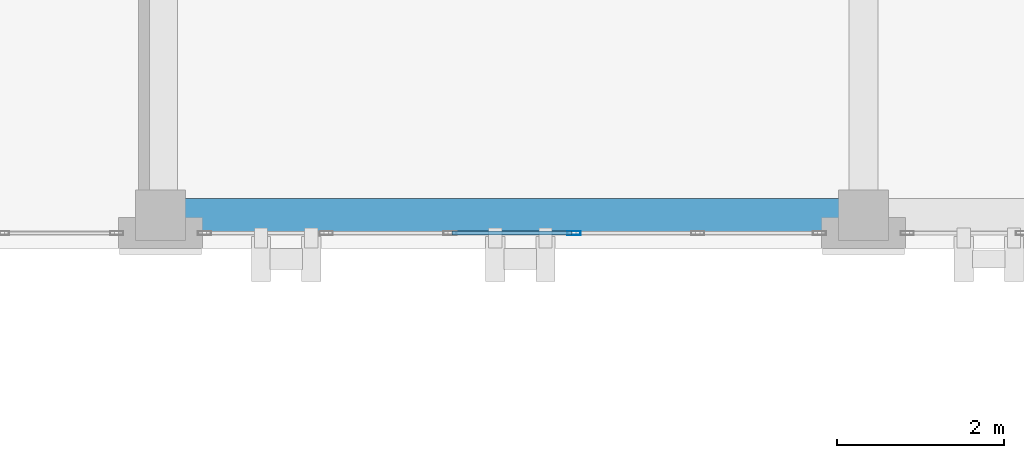
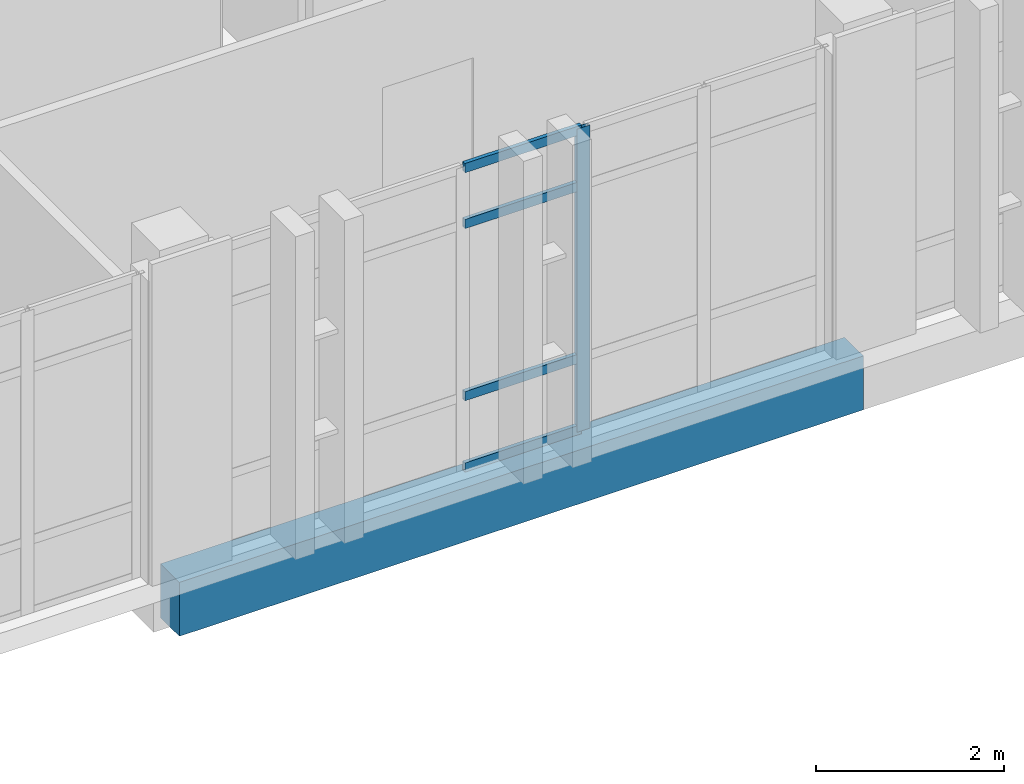
# One storey, part 20 of 77: 5 members, 1 beam, 1 element without a shape of its own.
"""IFC4 building model written with IfcOpenShell, lengths in metres."""

import ifcopenshell
import ifcopenshell.guid

model = None  # the IFC model being written
_history = None  # IfcOwnerHistory: only IFC2X3 demands one
_inside = {}  # id of a spatial element -> (the spatial element, [elements in it])
_under = {}  # id of a project, library or spatial element -> (it, [spatial elements below it])
_declared = {}  # id of a project -> (the project, [libraries it declares])
_typed = {}  # id of a type object -> (the type object, [elements of that type])
_made_of = {}  # id of a material, layer set ... -> (it, [elements and type objects made of it])


def new_model(schema):
    """Start an empty IFC model of exactly this schema.

    Asked for "IFC4X3", IfcOpenShell would pick the latest addendum, in which some entities
    have other attributes; the version numbers below select the first issue.
    IFC2X3 requires an IfcOwnerHistory on every rooted entity: one is made here for all.
    """
    global model, _history
    if schema == "IFC4X3":
        model = ifcopenshell.file(schema_version=(4, 3, 0, 0))
    else:
        model = ifcopenshell.file(schema=schema)
    _inside.clear()
    _under.clear()
    _declared.clear()
    _typed.clear()
    _made_of.clear()
    _history = None
    if model.schema == "IFC2X3":
        org = make("IfcOrganization", Name="unknown")
        user = make(
            "IfcPersonAndOrganization",
            ThePerson=make("IfcPerson", FamilyName="unknown"),
            TheOrganization=org,
        )
        app = make(
            "IfcApplication",
            ApplicationDeveloper=org,
            Version="unknown",
            ApplicationFullName="unknown",
            ApplicationIdentifier="unknown",
        )
        _history = make(
            "IfcOwnerHistory",
            OwningUser=user,
            OwningApplication=app,
            ChangeAction="ADDED",
            CreationDate=0,
        )
    return model


def make(cls, **values):
    """One entity of the class cls with the attributes given. An attribute that is None is left unset."""
    return model.create_entity(
        cls, **{name: value for name, value in values.items() if value is not None}
    )


def rooted(cls, **values):
    """An entity with a GlobalId (a new one), such as an element, a storey or a relation."""
    return make(cls, GlobalId=ifcopenshell.guid.new(), OwnerHistory=_history, **values)


def si_unit(unit_type, name, prefix=None):
    """IfcSIUnit, for example si_unit("LENGTHUNIT", "METRE", prefix="MILLI")."""
    return make("IfcSIUnit", UnitType=unit_type, Prefix=prefix, Name=name)


def assignment(units):
    """IfcUnitAssignment: the units of a project."""
    return None if units is None else make("IfcUnitAssignment", Units=units)


def point(xyz):
    """IfcCartesianPoint."""
    return None if xyz is None else make("IfcCartesianPoint", Coordinates=xyz)


def direction(xyz):
    """IfcDirection."""
    return None if xyz is None else make("IfcDirection", DirectionRatios=xyz)


def frame(location, z_axis=None, x_axis=None):
    """IfcAxis2Placement3D, a coordinate frame: its origin and axes. An axis left out is left unset."""
    return make(
        "IfcAxis2Placement3D",
        Location=point(location),
        Axis=direction(z_axis),
        RefDirection=direction(x_axis),
    )


def frame_2d(location, x_axis=None):
    """IfcAxis2Placement2D, a coordinate frame in the plane: its origin and x axis."""
    return make(
        "IfcAxis2Placement2D", Location=point(location), RefDirection=direction(x_axis)
    )


def origin():
    """The frame at (0, 0, 0) with its axes left unset."""
    return frame((0.0, 0.0, 0.0))


def origin_2d():
    """The frame at (0, 0) in the plane with its x axis left unset."""
    return frame_2d((0.0, 0.0))


def place(relative_to, where):
    """IfcLocalPlacement: puts the frame where relative to a parent placement (None: the world)."""
    return make(
        "IfcLocalPlacement", PlacementRelTo=relative_to, RelativePlacement=where
    )


def context(
    kind, dimensions, precision=None, world=None, true_north=None, identifier=None
):
    """IfcGeometricRepresentationContext, for example the 3D "Model" context."""
    return make(
        "IfcGeometricRepresentationContext",
        ContextIdentifier=identifier,
        ContextType=kind,
        CoordinateSpaceDimension=dimensions,
        Precision=precision,
        WorldCoordinateSystem=world,
        TrueNorth=true_north,
    )


def subcontext(parent, identifier, kind, view, scale=None):
    """IfcGeometricRepresentationSubContext, for example "Body" below "Model"."""
    return make(
        "IfcGeometricRepresentationSubContext",
        ContextIdentifier=identifier,
        ContextType=kind,
        ParentContext=parent,
        TargetScale=scale,
        TargetView=view,
    )


def project(units=None, contexts=None):
    """IfcProject with its units and contexts."""
    return rooted(
        "IfcProject",
        Name="project",
        RepresentationContexts=contexts,
        UnitsInContext=assignment(units),
    )


def spatial(cls, under=None, at=None, **own):
    """A site, building, storey or space (cls), placed at a placement, below another one or the project."""
    s = rooted(cls, ObjectPlacement=at, **own)
    if under is not None:
        _under.setdefault(under.id(), (under, []))[1].append(s)
    return s


def profile(cls, at=None, kind="AREA", **sizes):
    """A parametric profile (cls). Its sizes go by their IFC names, for example OverallWidth=200.0."""
    return make(cls, ProfileType=kind, Position=at, **sizes)


def rectangle(**sizes):
    """IfcRectangleProfileDef."""
    return profile("IfcRectangleProfileDef", **sizes)


def hollow_rectangle(**sizes):
    """IfcRectangleHollowProfileDef."""
    return profile("IfcRectangleHollowProfileDef", **sizes)


def extrude(swept, where, along, depth):
    """IfcExtrudedAreaSolid: the profile swept, set in the frame where, extruded along a direction by depth."""
    return make(
        "IfcExtrudedAreaSolid",
        SweptArea=swept,
        Position=where,
        ExtrudedDirection=direction(along),
        Depth=depth,
    )


def shape(context_of_items, identifier, shape_type, items):
    """IfcShapeRepresentation: the items that make up one representation, for example the "Body"."""
    return make(
        "IfcShapeRepresentation",
        ContextOfItems=context_of_items,
        RepresentationIdentifier=identifier,
        RepresentationType=shape_type,
        Items=items,
    )


def material(Name=None, Category=None):
    """IfcMaterial."""
    return make("IfcMaterial", Name=Name, Category=Category)


def layer(
    of_material, thickness, ventilated=None, Name=None, Category=None, Priority=None
):
    """IfcMaterialLayer: one layer of a wall or slab, of a material (None: an air gap)."""
    return make(
        "IfcMaterialLayer",
        Material=of_material,
        LayerThickness=thickness,
        IsVentilated=ventilated,
        Name=Name,
        Category=Category,
        Priority=Priority,
    )


def layer_set(layers, Name=None):
    """IfcMaterialLayerSet."""
    return make("IfcMaterialLayerSet", MaterialLayers=layers, LayerSetName=Name)


def material_profile(
    of_material, cross_section, Name=None, Category=None, Priority=None
):
    """IfcMaterialProfile: a cross section and its material."""
    return make(
        "IfcMaterialProfile",
        Name=Name,
        Material=of_material,
        Profile=cross_section,
        Priority=Priority,
        Category=Category,
    )


def profile_set(profiles, Name=None, composite=None):
    """IfcMaterialProfileSet."""
    return make(
        "IfcMaterialProfileSet",
        Name=Name,
        MaterialProfiles=profiles,
        CompositeProfile=composite,
    )


def made_of(thing, what):
    """Note that an element or type object is made of a material, layer set ...; save() writes the relation."""
    if what is not None:
        _made_of.setdefault(what.id(), (what, []))[1].append(thing)
    return thing


def type_object(cls, material=None, **own):
    """A type object (cls), such as IfcWallType, which elements share."""
    return made_of(rooted(cls, **own), material)


def element(
    cls,
    number,
    at=None,
    inside=None,
    cuts=None,
    type_object=None,
    material=None,
    context=None,
    identifier="Body",
    shape_type=None,
    held_by="IfcProductDefinitionShape",
    body=None,
    shapes=None,
    **own,
):
    """One element of the class cls, such as IfcWall. Its Tag is "e" and its number.

    at: its placement. inside: the storey or other place that contains it. cuts: it is an
    opening in that element (IfcRelVoidsElement). A single representation is given by context,
    identifier, shape_type and body (its items); several are given by shapes. held_by: the class
    of the entity that holds the representations. save() writes the other relations.
    """
    e = rooted(cls, Tag="e%d" % number, ObjectPlacement=at, **own)
    if body is not None:
        shapes = [shape(context, identifier, shape_type, body)]
    if shapes is not None:
        e.Representation = make(held_by, Representations=shapes)
    if inside is not None:
        _inside.setdefault(inside.id(), (inside, []))[1].append(e)
    if cuts is not None:
        rooted(
            "IfcRelVoidsElement", RelatingBuildingElement=cuts, RelatedOpeningElement=e
        )
    if type_object is not None:
        _typed.setdefault(type_object.id(), (type_object, []))[1].append(e)
    return made_of(e, material)


def aggregate(whole, parts):
    """IfcRelAggregates: a whole, such as a stair, and the parts it consists of."""
    return rooted("IfcRelAggregates", RelatingObject=whole, RelatedObjects=parts)


def save(model, path):
    """Write the relations noted so far, then the file.

    IfcRelAggregates (storeys below a building ...), IfcRelContainedInSpatialStructure (elements
    in a storey), IfcRelDefinesByType, IfcRelAssociatesMaterial and IfcRelDeclares: one each for
    every whole, place, type object, material and project.
    """
    for whole, parts in _under.values():
        aggregate(whole, parts)
    for where, things in _inside.values():
        rooted(
            "IfcRelContainedInSpatialStructure",
            RelatedElements=things,
            RelatingStructure=where,
        )
    for kind, things in _typed.values():
        rooted("IfcRelDefinesByType", RelatedObjects=things, RelatingType=kind)
    for what, things in _made_of.values():
        rooted("IfcRelAssociatesMaterial", RelatedObjects=things, RelatingMaterial=what)
    for by, libraries in _declared.values():
        rooted("IfcRelDeclares", RelatingContext=by, RelatedDefinitions=libraries)
    model.write(path)


model = new_model("IFC4")

# Units and contexts
model_context = context("Model", 3, precision=1e-05, world=origin(), true_north=direction((0.0, 1.0)))
body_context = subcontext(model_context, "Body", "Model", "MODEL_VIEW")
ifc_project = project(units=[si_unit("LENGTHUNIT", "METRE"), si_unit("AREAUNIT", "SQUARE_METRE"), si_unit("VOLUMEUNIT", "CUBIC_METRE"), si_unit("PLANEANGLEUNIT", "RADIAN"), si_unit("MASSUNIT", "GRAM", prefix="KILO")], contexts=[model_context])

# Site, building, storey
site_placement = place(None, origin())
site = spatial("IfcSite", under=ifc_project, at=site_placement, CompositionType="ELEMENT")
building_placement = place(site_placement, origin())
building = spatial("IfcBuilding", under=site, at=building_placement, Name="Qalavern Law Courts", CompositionType="ELEMENT")
storey_placement = place(building_placement, frame((0.0, 0.0, 27.0)))
storey = spatial("IfcBuildingStorey", under=building, at=storey_placement, Name="L06", CompositionType="ELEMENT", Elevation=27.0)

# Curtain wall, members
ifc_material_1 = material(Name="Anodised aluminium and insulated glazing", Category="aluminium")
ifc_layer = layer(ifc_material_1, 0.166015625)
ifc_layer_set = layer_set([ifc_layer], Name="Anodised aluminium and insulated glazing")
curtain_wall_type = type_object("IfcCurtainWallType", Name="ENV-CW-LIB", PredefinedType="USERDEFINED", material=ifc_layer_set)
curtain_wall_placement = place(storey_placement, origin())
curtain_wall = element("IfcCurtainWall", 1, at=curtain_wall_placement, inside=storey, type_object=curtain_wall_type, Name="V5 unitised curtain wall L06 south 2", ObjectType="UNITISED CURTAIN WALL", PredefinedType="USERDEFINED")
ifc_material_2 = material(Name="Anodised aluminium", Category="aluminium")
ifc_material_profile_1 = material_profile(ifc_material_2, hollow_rectangle(XDim=0.048095703125, YDim=0.159912109375, WallThickness=0.00390625, at=origin_2d()), Name="ALU MULLION 48x160")
ifc_profile_set_1 = profile_set([ifc_material_profile_1], Name="Anodised aluminium")
member_type_1 = type_object("IfcMemberType", Name="ENV-CWM-48x160", PredefinedType="MULLION", material=ifc_profile_set_1)
member_1_placement = place(storey_placement, frame((33.340087890625, 96.385009765625, 0.0), z_axis=(0.0, 0.0, 1.0), x_axis=(0.0, 1.0, 0.0)))
member_1 = element("IfcMember", 2, at=member_1_placement, type_object=member_type_1, Name="CW-05 mullion 4", PredefinedType="MULLION", context=body_context, shape_type="SweptSolid", body=[
    extrude(hollow_rectangle(XDim=0.048095703125, YDim=0.159912109375, WallThickness=0.00390625, at=origin_2d()), origin(), (0.0, 0.0, 1.0), 3.93505859375),
])
ifc_material_profile_2 = material_profile(ifc_material_2, hollow_rectangle(XDim=0.048095703125, YDim=0.1201171875, WallThickness=0.00390625, at=origin_2d()), Name="ALU TRANSOM 48x120")
ifc_profile_set_2 = profile_set([ifc_material_profile_2], Name="Anodised aluminium")
member_type_2 = type_object("IfcMemberType", Name="ENV-CWT-48x120", PredefinedType="USERDEFINED", material=ifc_profile_set_2)
member_2_placement = place(storey_placement, frame((31.884033203125, 96.385009765625, 0.02392578125), z_axis=(1.0, 0.0, 0.0), x_axis=(0.0, 1.0, 0.0)))
member_2 = element("IfcMember", 3, at=member_2_placement, type_object=member_type_2, Name="CW-05 transom 3.1", ObjectType="TRANSOM", PredefinedType="USERDEFINED", context=body_context, shape_type="SweptSolid", body=[
    extrude(hollow_rectangle(XDim=0.048095703125, YDim=0.1201171875, WallThickness=0.00390625, at=origin_2d()), origin(), (0.0, 0.0, 1.0), 1.431884765625),
])
member_3_placement = place(storey_placement, frame((31.884033203125, 96.385009765625, 0.949951171875), z_axis=(1.0, 0.0, 0.0), x_axis=(0.0, 1.0, 0.0)))
member_3 = element("IfcMember", 4, at=member_3_placement, type_object=member_type_2, Name="CW-05 transom 3.2", ObjectType="TRANSOM", PredefinedType="USERDEFINED", context=body_context, shape_type="SweptSolid", body=[
    extrude(hollow_rectangle(XDim=0.048095703125, YDim=0.1201171875, WallThickness=0.00390625, at=origin_2d()), origin(), (0.0, 0.0, 1.0), 1.431884765625),
])
member_4_placement = place(storey_placement, frame((31.884033203125, 96.385009765625, 3.18505859375), z_axis=(1.0, 0.0, 0.0), x_axis=(0.0, 1.0, 0.0)))
member_4 = element("IfcMember", 5, at=member_4_placement, type_object=member_type_2, Name="CW-05 transom 3.3", ObjectType="TRANSOM", PredefinedType="USERDEFINED", context=body_context, shape_type="SweptSolid", body=[
    extrude(hollow_rectangle(XDim=0.048095703125, YDim=0.1201171875, WallThickness=0.00390625, at=origin_2d()), origin(), (0.0, 0.0, 1.0), 1.431884765625),
])
member_5_placement = place(storey_placement, frame((31.884033203125, 96.385009765625, 3.910888671875), z_axis=(1.0, 0.0, 0.0), x_axis=(0.0, 1.0, 0.0)))
member_5 = element("IfcMember", 6, at=member_5_placement, type_object=member_type_2, Name="CW-05 transom 3.4", ObjectType="TRANSOM", PredefinedType="USERDEFINED", context=body_context, shape_type="SweptSolid", body=[
    extrude(hollow_rectangle(XDim=0.048095703125, YDim=0.1201171875, WallThickness=0.00390625, at=origin_2d()), origin(), (0.0, 0.0, 1.0), 1.431884765625),
])
aggregate(curtain_wall, [member_1, member_2, member_3, member_4, member_5])

# Beam
ifc_material_3 = material(Name="Concrete C40/50", Category="concrete")
ifc_material_profile_3 = material_profile(ifc_material_3, rectangle(XDim=0.39990234375, YDim=0.699951171875, at=origin_2d()), Name="RC 400x700")
ifc_profile_set_3 = profile_set([ifc_material_profile_3], Name="Concrete C40/50")
beam_type = type_object("IfcBeamType", Name="STR-SP-RC400x700", PredefinedType="SPANDREL", material=ifc_profile_set_3)
beam_placement = place(storey_placement, frame((28.39990234375, 96.60009765625, -0.6201171875), z_axis=(1.0, 0.0, 0.0), x_axis=(0.0, 1.0, 0.0)))
element("IfcBeam", 7, at=beam_placement, inside=storey, type_object=beam_type, Name="V5 X-beam 1-1 L06", PredefinedType="SPANDREL", context=body_context, shape_type="SweptSolid", body=[
    extrude(rectangle(XDim=0.39990234375, YDim=0.699951171875, at=origin_2d()), origin(), (0.0, 0.0, 1.0), 8.400146484375),
])

save(model, "model.ifc")
